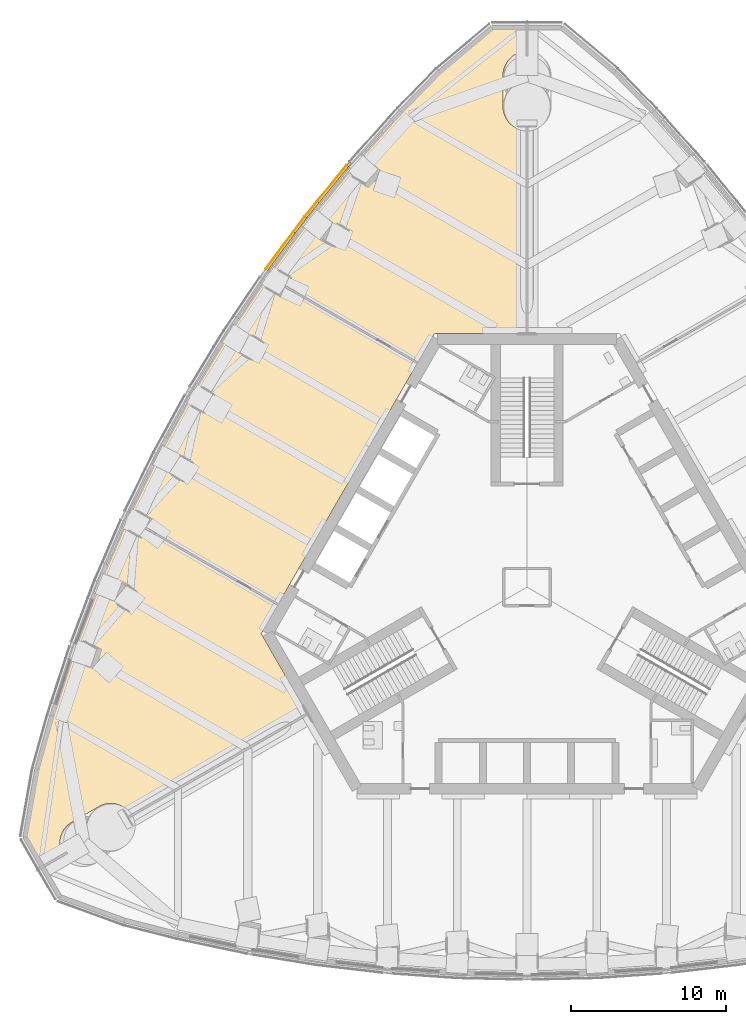
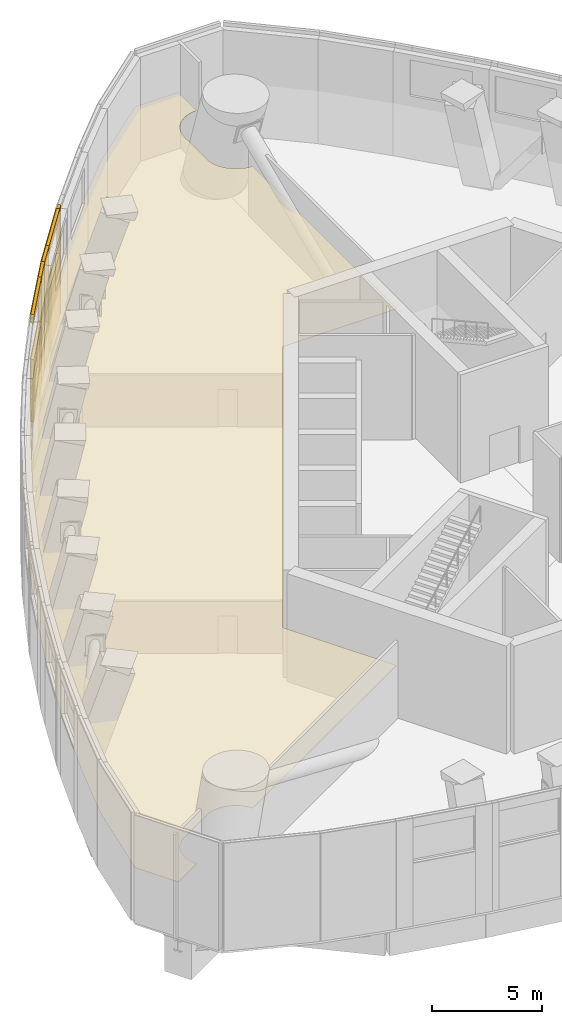
# One storey, part 16 of 22: 14 coverings.
"""IFC4 building model written with IfcOpenShell, lengths in metres."""

from ifc_helpers import new_model, si_unit, direction, frame, origin, origin_2d, place, context, subcontext, project, spatial, polyline, rectangle, outline, extrude, material, layer, layer_set, type_object, element, save


model = new_model("IFC4")

# Units and contexts
model_context = context("Model", 3, precision=1e-05, world=origin(), true_north=direction((0.0, 1.0)))
body_context = subcontext(model_context, "Body", "Model", "MODEL_VIEW")
ifc_project = project(units=[si_unit("LENGTHUNIT", "METRE"), si_unit("AREAUNIT", "SQUARE_METRE"), si_unit("VOLUMEUNIT", "CUBIC_METRE"), si_unit("PLANEANGLEUNIT", "RADIAN"), si_unit("MASSUNIT", "GRAM", prefix="KILO")], contexts=[model_context])

# Site, building, storey
site_placement = place(None, origin())
site = spatial("IfcSite", under=ifc_project, at=site_placement, CompositionType="ELEMENT")
building_placement = place(site_placement, origin())
building = spatial("IfcBuilding", under=site, at=building_placement, Name="Trefoil Bronze Tower", CompositionType="ELEMENT")
storey_placement = place(building_placement, frame((0.0, 0.0, 265.300048828125)))
storey = spatial("IfcBuildingStorey", under=building, at=storey_placement, Name="L61", CompositionType="ELEMENT", Elevation=265.300048828125)

# Coverings
ifc_material_1 = material(Name="Bronze-finish aluminium rainscreen panel on aluminium rails", Category="aluminium")
ifc_layer_1 = layer(ifc_material_1, 0.0400390625)
ifc_layer_set_1 = layer_set([ifc_layer_1], Name="Bronze cladding panel 40")
covering_type_1 = type_object("IfcCoveringType", Name="Bronze cladding panel 40", PredefinedType="CLADDING", material=ifc_layer_set_1)
covering_1_placement = place(storey_placement, frame((-13.941162109375, 24.41455078125, 0.0), z_axis=(0.0, 0.0, 1.0), x_axis=(-0.632752613064, -0.774354008616, 0.0)))
element("IfcCovering", 1, at=covering_1_placement, inside=storey, type_object=covering_type_1, Name="Cladding panel L61 Face 3.3 piece 2", PredefinedType="CLADDING", context=body_context, shape_type="SweptSolid", body=[
    extrude(rectangle(XDim=1.25927734375, YDim=0.0400390625, at=origin_2d()), origin(), (0.0, 0.0, 1.0), 6.0),
])
covering_2_placement = place(storey_placement, frame((-12.59375, 26.0634765625, 0.0), z_axis=(0.0, 0.0, 1.0), x_axis=(-0.632752613064, -0.774354008616, 0.0)))
element("IfcCovering", 2, at=covering_2_placement, inside=storey, type_object=covering_type_1, Name="Cladding panel L61 Face 3.3 piece 3", PredefinedType="CLADDING", context=body_context, shape_type="SweptSolid", body=[
    extrude(rectangle(XDim=3.0, YDim=0.0400390625, at=origin_2d()), origin(), (0.0, 0.0, 1.0), 3.5),
])
covering_3_placement = place(storey_placement, frame((-12.59375, 26.0634765625, 5.5), z_axis=(0.0, 0.0, 1.0), x_axis=(-0.632752613064, -0.774354008616, 0.0)))
element("IfcCovering", 3, at=covering_3_placement, inside=storey, type_object=covering_type_1, Name="Cladding panel L61 Face 3.3 piece 4", PredefinedType="CLADDING", context=body_context, shape_type="SweptSolid", body=[
    extrude(rectangle(XDim=3.0, YDim=0.0400390625, at=origin_2d()), origin(), (0.0, 0.0, 1.0), 0.5),
])
covering_4_placement = place(storey_placement, frame((-14.71533203125, 23.42138671875, 0.0), z_axis=(0.0, 0.0, 1.0), x_axis=(-0.596161525977, -0.802864518425, 0.0)))
element("IfcCovering", 4, at=covering_4_placement, inside=storey, type_object=covering_type_1, Name="Cladding panel L61 Face 3.4 piece 1", PredefinedType="CLADDING", context=body_context, shape_type="SweptSolid", body=[
    extrude(rectangle(XDim=1.22998046875, YDim=0.0400390625, at=origin_2d()), origin(), (0.0, 0.0, 1.0), 6.0),
])
covering_5_placement = place(storey_placement, frame((-15.976318359375, 21.723388671875, 0.0), z_axis=(0.0, 0.0, 1.0), x_axis=(-0.596161525977, -0.802864518425, 0.0)))
element("IfcCovering", 5, at=covering_5_placement, inside=storey, type_object=covering_type_1, Name="Cladding panel L61 Face 3.4 piece 3", PredefinedType="CLADDING", context=body_context, shape_type="SweptSolid", body=[
    extrude(rectangle(XDim=3.0, YDim=0.0400390625, at=origin_2d()), origin(), (0.0, 0.0, 1.0), 3.5),
])
covering_6_placement = place(storey_placement, frame((-15.976318359375, 21.723388671875, 5.5), z_axis=(0.0, 0.0, 1.0), x_axis=(-0.596161525977, -0.802864518425, 0.0)))
element("IfcCovering", 6, at=covering_6_placement, inside=storey, type_object=covering_type_1, Name="Cladding panel L61 Face 3.4 piece 4", PredefinedType="CLADDING", context=body_context, shape_type="SweptSolid", body=[
    extrude(rectangle(XDim=3.0, YDim=0.0400390625, at=origin_2d()), origin(), (0.0, 0.0, 1.0), 0.5),
])
ifc_material_2 = material(Name="Acoustic ceiling panels", Category="mineral fibre")
ifc_layer_2 = layer(ifc_material_2, 0.02001953125)
ifc_layer_set_2 = layer_set([ifc_layer_2], Name="Office ceiling 20")
covering_type_2 = type_object("IfcCoveringType", Name="Office ceiling 20", PredefinedType="CEILING", material=ifc_layer_set_2)
covering_7_placement = place(storey_placement, frame((0.0, 0.0, 2.89990234375)))
element("IfcCovering", 7, at=covering_7_placement, inside=storey, type_object=covering_type_2, Name="Ceiling L61 Electrical plant room F3", PredefinedType="CEILING", context=body_context, shape_type="SweptSolid", body=[
    extrude(outline(polyline([(-30.76318359375, -8.219482421875), (-29.3369140625, -3.846923828125), (-27.7216796875, 0.416748046875), (-25.92236328125, 4.573974609375), (-23.94140625, 8.62646484375), (-21.781005859375, 12.5751953125), (-19.44140625, 16.420654296875), (-16.92236328125, 20.162353515625), (-14.2216796875, 23.79931640625), (-11.3369140625, 27.329833984375), (-8.26318359375, 30.751708984375), (-5.7734375, 33.30126953125), (-2.280029296875, 36.232666015625), (-0.013671875, 36.232666015625), (-0.012939453125, 34.5498046875), (-0.076171875, 34.548095703125), (-0.15185546875, 34.54248046875), (-0.227294921875, 34.533203125), (-0.302490234375, 34.520263671875), (-0.376708984375, 34.50341796875), (-0.449951171875, 34.4833984375), (-0.522216796875, 34.45947265625), (-0.59326171875, 34.431884765625), (-0.66259765625, 34.401123046875), (-0.730712890625, 34.366943359375), (-0.796875, 34.32958984375), (-0.861083984375, 34.288818359375), (-0.92333984375, 34.2451171875), (-0.9833984375, 34.1982421875), (-1.041015625, 34.1484375), (-1.095947265625, 34.095947265625), (-1.1484375, 34.041015625), (-1.1982421875, 33.9833984375), (-1.2451171875, 33.92333984375), (-1.288818359375, 33.861083984375), (-1.32958984375, 33.796875), (-1.366943359375, 33.730712890625), (-1.401123046875, 33.66259765625), (-1.431884765625, 33.59326171875), (-1.45947265625, 33.522216796875), (-1.4833984375, 33.449951171875), (-1.50341796875, 33.376708984375), (-1.520263671875, 33.302490234375), (-1.533203125, 33.227294921875), (-1.54248046875, 33.15185546875), (-1.548095703125, 33.076171875), (-1.550048828125, 33.0), (-1.550048828125, 31.0), (-1.548095703125, 30.923828125), (-1.54248046875, 30.84814453125), (-1.533203125, 30.772705078125), (-1.520263671875, 30.697509765625), (-1.50341796875, 30.623291015625), (-1.4833984375, 30.550048828125), (-1.45947265625, 30.477783203125), (-1.431884765625, 30.40673828125), (-1.401123046875, 30.33740234375), (-1.366943359375, 30.269287109375), (-1.32958984375, 30.203125), (-1.288818359375, 30.138916015625), (-1.2451171875, 30.07666015625), (-1.1982421875, 30.0166015625), (-1.1484375, 29.958984375), (-1.095947265625, 29.904052734375), (-1.041015625, 29.8515625), (-0.9833984375, 29.8017578125), (-0.92333984375, 29.7548828125), (-0.861083984375, 29.711181640625), (-0.796875, 29.67041015625), (-0.730712890625, 29.633056640625), (-0.66259765625, 29.598876953125), (-0.59326171875, 29.568115234375), (-0.522216796875, 29.54052734375), (-0.449951171875, 29.5166015625), (-0.376708984375, 29.49658203125), (-0.302490234375, 29.479736328125), (-0.227294921875, 29.466796875), (-0.15185546875, 29.45751953125), (-0.076171875, 29.451904296875), (-0.010986328125, 29.4501953125), (-0.006103515625, 16.35009765625), (-5.9755859375, 16.35009765625), (-17.147216796875, -3.0), (-14.16259765625, -8.169677734375), (-25.51025390625, -14.715576171875), (-25.55810546875, -14.638916015625), (-25.601806640625, -14.57666015625), (-25.648681640625, -14.5166015625), (-25.6982421875, -14.458984375), (-25.750732421875, -14.404052734375), (-25.805908203125, -14.3515625), (-25.863525390625, -14.3017578125), (-25.923583984375, -14.2548828125), (-25.985595703125, -14.211181640625), (-26.0498046875, -14.17041015625), (-26.1162109375, -14.133056640625), (-26.18408203125, -14.098876953125), (-26.253662109375, -14.068115234375), (-26.32470703125, -14.04052734375), (-26.396728515625, -14.0166015625), (-26.47021484375, -13.99658203125), (-26.54443359375, -13.979736328125), (-26.619384765625, -13.966796875), (-26.69482421875, -13.95751953125), (-26.770751953125, -13.951904296875), (-26.8466796875, -13.949951171875), (-26.9228515625, -13.951904296875), (-26.998779296875, -13.95751953125), (-27.07421875, -13.966796875), (-27.149169921875, -13.979736328125), (-27.223388671875, -13.99658203125), (-27.296630859375, -14.0166015625), (-27.368896484375, -14.04052734375), (-27.43994140625, -14.068115234375), (-27.509521484375, -14.098876953125), (-27.577392578125, -14.133056640625), (-27.6435546875, -14.17041015625), (-29.375732421875, -15.17041015625), (-29.43994140625, -15.211181640625), (-29.502197265625, -15.2548828125), (-29.56201171875, -15.3017578125), (-29.619873046875, -15.3515625), (-29.6748046875, -15.404052734375), (-29.727294921875, -15.458984375), (-29.777099609375, -15.5166015625), (-29.82373046875, -15.57666015625), (-29.86767578125, -15.638916015625), (-29.908203125, -15.703125), (-29.94580078125, -15.769287109375), (-29.97998046875, -15.83740234375), (-30.010986328125, -15.90673828125), (-30.0380859375, -15.977783203125), (-30.06201171875, -16.050048828125), (-30.08251953125, -16.123291015625), (-30.09912109375, -16.197509765625), (-30.112060546875, -16.272705078125), (-30.121337890625, -16.34814453125), (-30.126953125, -16.423828125), (-30.12890625, -16.5), (-30.126953125, -16.576171875), (-30.121337890625, -16.65185546875), (-30.112060546875, -16.727294921875), (-30.09912109375, -16.802490234375), (-30.08251953125, -16.876708984375), (-30.06201171875, -16.949951171875), (-30.0380859375, -17.022216796875), (-30.010986328125, -17.09326171875), (-29.97998046875, -17.16259765625), (-29.94580078125, -17.230712890625), (-29.92724609375, -17.263427734375), (-31.385009765625, -18.1044921875), (-32.518310546875, -16.1416015625), (-31.7265625, -11.650634765625), (-30.76318359375, -8.219482421875)])), origin(), (0.0, 0.0, 1.0), 0.02001953125),
])
ifc_material_3 = material(Name="Non-combustible mineral wool slab", Category="insulation")
ifc_layer_3 = layer(ifc_material_3, 0.14990234375)
ifc_layer_set_3 = layer_set([ifc_layer_3], Name="Rainscreen insulation 150")
covering_type_3 = type_object("IfcCoveringType", Name="Rainscreen insulation 150", PredefinedType="INSULATION", material=ifc_layer_set_3)
covering_8_placement = place(storey_placement, frame((-11.47607421875, 27.28125, 0.0), z_axis=(0.0, 0.0, 1.0), x_axis=(-0.632752613064, -0.774354008616, 0.0)))
element("IfcCovering", 8, at=covering_8_placement, inside=storey, type_object=covering_type_3, Name="Insulation L61 Face 3.3 piece 1", PredefinedType="INSULATION", context=body_context, shape_type="SweptSolid", body=[
    extrude(rectangle(XDim=0.300048828125, YDim=0.14990234375, at=origin_2d()), origin(), (0.0, 0.0, 1.0), 6.0),
])
covering_9_placement = place(storey_placement, frame((-13.86767578125, 24.354248046875, 0.0), z_axis=(0.0, 0.0, 1.0), x_axis=(-0.632752613064, -0.774354008616, 0.0)))
element("IfcCovering", 9, at=covering_9_placement, inside=storey, type_object=covering_type_3, Name="Insulation L61 Face 3.3 piece 2", PredefinedType="INSULATION", context=body_context, shape_type="SweptSolid", body=[
    extrude(rectangle(XDim=1.25927734375, YDim=0.14990234375, at=origin_2d()), origin(), (0.0, 0.0, 1.0), 6.0),
])
covering_10_placement = place(storey_placement, frame((-12.52001953125, 26.00341796875, 0.0), z_axis=(0.0, 0.0, 1.0), x_axis=(-0.632752613064, -0.774354008616, 0.0)))
element("IfcCovering", 10, at=covering_10_placement, inside=storey, type_object=covering_type_3, Name="Insulation L61 Face 3.3 piece 3", PredefinedType="INSULATION", context=body_context, shape_type="SweptSolid", body=[
    extrude(rectangle(XDim=3.0, YDim=0.14990234375, at=origin_2d()), origin(), (0.0, 0.0, 1.0), 3.5),
])
covering_11_placement = place(storey_placement, frame((-12.52001953125, 26.00341796875, 5.5), z_axis=(0.0, 0.0, 1.0), x_axis=(-0.632752613064, -0.774354008616, 0.0)))
element("IfcCovering", 11, at=covering_11_placement, inside=storey, type_object=covering_type_3, Name="Insulation L61 Face 3.3 piece 4", PredefinedType="INSULATION", context=body_context, shape_type="SweptSolid", body=[
    extrude(rectangle(XDim=3.0, YDim=0.14990234375, at=origin_2d()), origin(), (0.0, 0.0, 1.0), 0.5),
])
covering_12_placement = place(storey_placement, frame((-14.63916015625, 23.36474609375, 0.0), z_axis=(0.0, 0.0, 1.0), x_axis=(-0.596161525977, -0.802864518425, 0.0)))
element("IfcCovering", 12, at=covering_12_placement, inside=storey, type_object=covering_type_3, Name="Insulation L61 Face 3.4 piece 1", PredefinedType="INSULATION", context=body_context, shape_type="SweptSolid", body=[
    extrude(rectangle(XDim=1.22998046875, YDim=0.14990234375, at=origin_2d()), origin(), (0.0, 0.0, 1.0), 6.0),
])
covering_13_placement = place(storey_placement, frame((-15.89990234375, 21.666748046875, 0.0), z_axis=(0.0, 0.0, 1.0), x_axis=(-0.596161525977, -0.802864518425, 0.0)))
element("IfcCovering", 13, at=covering_13_placement, inside=storey, type_object=covering_type_3, Name="Insulation L61 Face 3.4 piece 3", PredefinedType="INSULATION", context=body_context, shape_type="SweptSolid", body=[
    extrude(rectangle(XDim=3.0, YDim=0.14990234375, at=origin_2d()), origin(), (0.0, 0.0, 1.0), 3.5),
])
covering_14_placement = place(storey_placement, frame((-15.89990234375, 21.666748046875, 5.5), z_axis=(0.0, 0.0, 1.0), x_axis=(-0.596161525977, -0.802864518425, 0.0)))
element("IfcCovering", 14, at=covering_14_placement, inside=storey, type_object=covering_type_3, Name="Insulation L61 Face 3.4 piece 4", PredefinedType="INSULATION", context=body_context, shape_type="SweptSolid", body=[
    extrude(rectangle(XDim=3.0, YDim=0.14990234375, at=origin_2d()), origin(), (0.0, 0.0, 1.0), 0.5),
])

save(model, "model.ifc")
